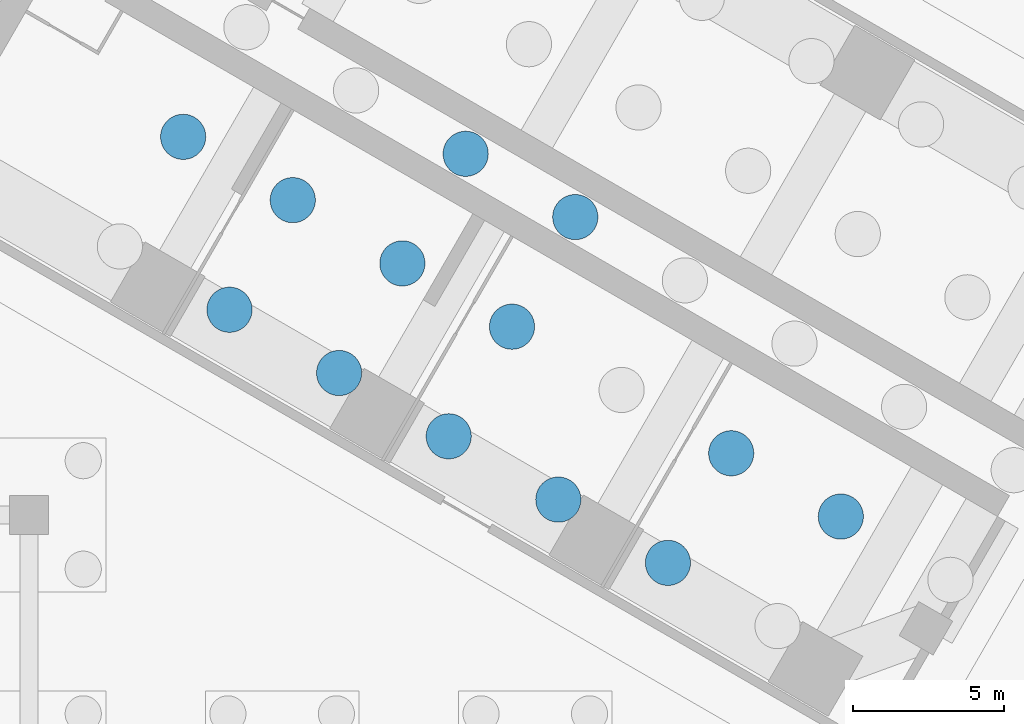
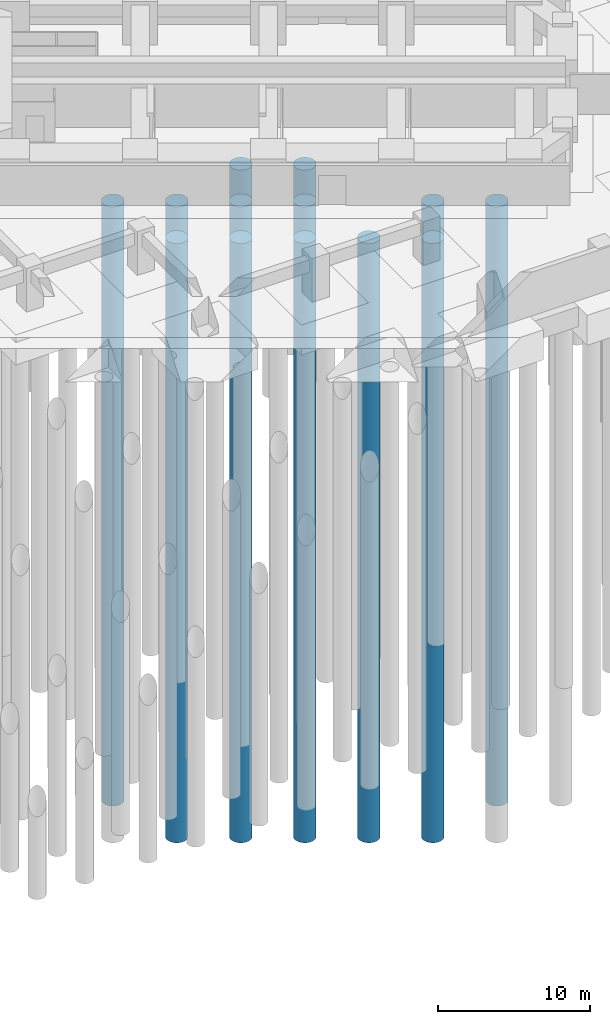
# One storey, part 22 of 73: 13 piles.
"""IFC4 building model written with IfcOpenShell, lengths in metres."""

from ifc_helpers import new_model, si_unit, direction, frame, origin, origin_2d, place, context, subcontext, project, spatial, polyline, circle, outline, extrude, material, material_profile, profile_set, type_object, element, save


model = new_model("IFC4")

# Units and contexts
model_context = context("Model", 3, precision=1e-05, world=origin(), true_north=direction((0.0, 1.0)))
body_context = subcontext(model_context, "Body", "Model", "MODEL_VIEW")
ifc_project = project(units=[si_unit("LENGTHUNIT", "METRE"), si_unit("AREAUNIT", "SQUARE_METRE"), si_unit("VOLUMEUNIT", "CUBIC_METRE"), si_unit("PLANEANGLEUNIT", "RADIAN"), si_unit("MASSUNIT", "GRAM", prefix="KILO")], contexts=[model_context])

# Site, building, storey
site_placement = place(None, origin())
site = spatial("IfcSite", under=ifc_project, at=site_placement, CompositionType="ELEMENT")
building_placement = place(site_placement, origin())
building = spatial("IfcBuilding", under=site, at=building_placement, Name="Impinga Residences", CompositionType="ELEMENT")
storey_placement = place(building_placement, frame((0.0, 0.0, -10.5)))
storey = spatial("IfcBuildingStorey", under=building, at=storey_placement, Name="B3", CompositionType="ELEMENT", Elevation=-10.5)

# Piles
ifc_material = material(Name="Concrete C35/45", Category="concrete")
ifc_material_profile = material_profile(ifc_material, circle(Radius=0.75, at=origin_2d()), Name="D1500")
ifc_profile_set = profile_set([ifc_material_profile], Name="Concrete C35/45")
pile_type = type_object("IfcPileType", Name="BP1 bored pile D1500", PredefinedType="BORED", material=ifc_profile_set)
pile_1_placement = place(storey_placement, frame((29.602294921875, -26.790283203125, -4.0), z_axis=(0.0, 0.0, -1.0), x_axis=(1.0, 0.0, 0.0)))
element("IfcPile", 1, at=pile_1_placement, inside=storey, type_object=pile_type, Name="Raft pile BP1-006", PredefinedType="BORED", context=body_context, shape_type="SweptSolid", body=[
    extrude(outline(polyline([(0.75, 0.0), (0.746337890625, 0.073486328125), (0.735595703125, 0.146240234375), (0.7177734375, 0.2177734375), (0.69287109375, 0.287109375), (0.661376953125, 0.353515625), (0.62353515625, 0.416748046875), (0.579833984375, 0.475830078125), (0.5302734375, 0.5302734375), (0.475830078125, 0.579833984375), (0.416748046875, 0.62353515625), (0.353515625, 0.661376953125), (0.287109375, 0.69287109375), (0.2177734375, 0.7177734375), (0.146240234375, 0.735595703125), (0.073486328125, 0.746337890625), (0.0, 0.75), (-0.073486328125, 0.746337890625), (-0.146240234375, 0.735595703125), (-0.2177734375, 0.7177734375), (-0.287109375, 0.69287109375), (-0.353515625, 0.661376953125), (-0.416748046875, 0.62353515625), (-0.475830078125, 0.579833984375), (-0.5302734375, 0.5302734375), (-0.579833984375, 0.475830078125), (-0.62353515625, 0.416748046875), (-0.661376953125, 0.353515625), (-0.69287109375, 0.287109375), (-0.7177734375, 0.2177734375), (-0.735595703125, 0.146240234375), (-0.746337890625, 0.073486328125), (-0.75, 0.0), (-0.746337890625, -0.073486328125), (-0.735595703125, -0.146240234375), (-0.7177734375, -0.2177734375), (-0.69287109375, -0.287109375), (-0.661376953125, -0.353515625), (-0.62353515625, -0.416748046875), (-0.579833984375, -0.475830078125), (-0.5302734375, -0.5302734375), (-0.475830078125, -0.579833984375), (-0.416748046875, -0.62353515625), (-0.353515625, -0.661376953125), (-0.287109375, -0.69287109375), (-0.2177734375, -0.7177734375), (-0.146240234375, -0.735595703125), (-0.073486328125, -0.746337890625), (0.0, -0.75), (0.073486328125, -0.746337890625), (0.146240234375, -0.735595703125), (0.2177734375, -0.7177734375), (0.287109375, -0.69287109375), (0.353515625, -0.661376953125), (0.416748046875, -0.62353515625), (0.475830078125, -0.579833984375), (0.5302734375, -0.5302734375), (0.579833984375, -0.475830078125), (0.62353515625, -0.416748046875), (0.661376953125, -0.353515625), (0.69287109375, -0.287109375), (0.7177734375, -0.2177734375), (0.735595703125, -0.146240234375), (0.746337890625, -0.073486328125), (0.75, 0.0)])), origin(), (0.0, 0.0, 1.0), 48.0),
])
pile_2_placement = place(storey_placement, frame((35.339599609375, -25.253173828125, -4.0), z_axis=(0.0, 0.0, -1.0), x_axis=(1.0, 0.0, 0.0)))
element("IfcPile", 2, at=pile_2_placement, inside=storey, type_object=pile_type, Name="Raft pile BP1-008", PredefinedType="BORED", context=body_context, shape_type="SweptSolid", body=[
    extrude(outline(polyline([(0.75, 0.0), (0.746337890625, 0.073486328125), (0.735595703125, 0.146240234375), (0.7177734375, 0.2177734375), (0.69287109375, 0.287109375), (0.661376953125, 0.353515625), (0.62353515625, 0.416748046875), (0.579833984375, 0.475830078125), (0.5302734375, 0.5302734375), (0.475830078125, 0.579833984375), (0.416748046875, 0.62353515625), (0.353515625, 0.661376953125), (0.287109375, 0.69287109375), (0.2177734375, 0.7177734375), (0.146240234375, 0.735595703125), (0.073486328125, 0.746337890625), (0.0, 0.75), (-0.073486328125, 0.746337890625), (-0.146240234375, 0.735595703125), (-0.2177734375, 0.7177734375), (-0.287109375, 0.69287109375), (-0.353515625, 0.661376953125), (-0.416748046875, 0.62353515625), (-0.475830078125, 0.579833984375), (-0.5302734375, 0.5302734375), (-0.579833984375, 0.475830078125), (-0.62353515625, 0.416748046875), (-0.661376953125, 0.353515625), (-0.69287109375, 0.287109375), (-0.7177734375, 0.2177734375), (-0.735595703125, 0.146240234375), (-0.746337890625, 0.073486328125), (-0.75, 0.0), (-0.746337890625, -0.073486328125), (-0.735595703125, -0.146240234375), (-0.7177734375, -0.2177734375), (-0.69287109375, -0.287109375), (-0.661376953125, -0.353515625), (-0.62353515625, -0.416748046875), (-0.579833984375, -0.475830078125), (-0.5302734375, -0.5302734375), (-0.475830078125, -0.579833984375), (-0.416748046875, -0.62353515625), (-0.353515625, -0.661376953125), (-0.287109375, -0.69287109375), (-0.2177734375, -0.7177734375), (-0.146240234375, -0.735595703125), (-0.073486328125, -0.746337890625), (0.0, -0.75), (0.073486328125, -0.746337890625), (0.146240234375, -0.735595703125), (0.2177734375, -0.7177734375), (0.287109375, -0.69287109375), (0.353515625, -0.661376953125), (0.416748046875, -0.62353515625), (0.475830078125, -0.579833984375), (0.5302734375, -0.5302734375), (0.579833984375, -0.475830078125), (0.62353515625, -0.416748046875), (0.661376953125, -0.353515625), (0.69287109375, -0.287109375), (0.7177734375, -0.2177734375), (0.735595703125, -0.146240234375), (0.746337890625, -0.073486328125), (0.75, 0.0)])), origin(), (0.0, 0.0, 1.0), 48.0),
])
pile_3_placement = place(storey_placement, frame((25.965087890625, -24.6904296875, -4.0), z_axis=(0.0, 0.0, -1.0), x_axis=(1.0, 0.0, 0.0)))
element("IfcPile", 3, at=pile_3_placement, inside=storey, type_object=pile_type, Name="Raft pile BP1-010", PredefinedType="BORED", context=body_context, shape_type="SweptSolid", body=[
    extrude(outline(polyline([(0.75, 0.0), (0.746337890625, 0.073486328125), (0.735595703125, 0.146240234375), (0.7177734375, 0.2177734375), (0.69287109375, 0.287109375), (0.661376953125, 0.353515625), (0.62353515625, 0.416748046875), (0.579833984375, 0.475830078125), (0.5302734375, 0.5302734375), (0.475830078125, 0.579833984375), (0.416748046875, 0.62353515625), (0.353515625, 0.661376953125), (0.287109375, 0.69287109375), (0.2177734375, 0.7177734375), (0.146240234375, 0.735595703125), (0.073486328125, 0.746337890625), (0.0, 0.75), (-0.073486328125, 0.746337890625), (-0.146240234375, 0.735595703125), (-0.2177734375, 0.7177734375), (-0.287109375, 0.69287109375), (-0.353515625, 0.661376953125), (-0.416748046875, 0.62353515625), (-0.475830078125, 0.579833984375), (-0.5302734375, 0.5302734375), (-0.579833984375, 0.475830078125), (-0.62353515625, 0.416748046875), (-0.661376953125, 0.353515625), (-0.69287109375, 0.287109375), (-0.7177734375, 0.2177734375), (-0.735595703125, 0.146240234375), (-0.746337890625, 0.073486328125), (-0.75, 0.0), (-0.746337890625, -0.073486328125), (-0.735595703125, -0.146240234375), (-0.7177734375, -0.2177734375), (-0.69287109375, -0.287109375), (-0.661376953125, -0.353515625), (-0.62353515625, -0.416748046875), (-0.579833984375, -0.475830078125), (-0.5302734375, -0.5302734375), (-0.475830078125, -0.579833984375), (-0.416748046875, -0.62353515625), (-0.353515625, -0.661376953125), (-0.287109375, -0.69287109375), (-0.2177734375, -0.7177734375), (-0.146240234375, -0.735595703125), (-0.073486328125, -0.746337890625), (0.0, -0.75), (0.073486328125, -0.746337890625), (0.146240234375, -0.735595703125), (0.2177734375, -0.7177734375), (0.287109375, -0.69287109375), (0.353515625, -0.661376953125), (0.416748046875, -0.62353515625), (0.475830078125, -0.579833984375), (0.5302734375, -0.5302734375), (0.579833984375, -0.475830078125), (0.62353515625, -0.416748046875), (0.661376953125, -0.353515625), (0.69287109375, -0.287109375), (0.7177734375, -0.2177734375), (0.735595703125, -0.146240234375), (0.746337890625, -0.073486328125), (0.75, 0.0)])), origin(), (0.0, 0.0, 1.0), 48.0),
])
pile_4_placement = place(storey_placement, frame((31.702392578125, -23.153076171875, -4.0), z_axis=(0.0, 0.0, -1.0), x_axis=(1.0, 0.0, 0.0)))
element("IfcPile", 4, at=pile_4_placement, inside=storey, type_object=pile_type, Name="Raft pile BP1-014", PredefinedType="BORED", context=body_context, shape_type="SweptSolid", body=[
    extrude(outline(polyline([(0.75, 0.0), (0.746337890625, 0.073486328125), (0.735595703125, 0.146240234375), (0.7177734375, 0.2177734375), (0.69287109375, 0.287109375), (0.661376953125, 0.353515625), (0.62353515625, 0.416748046875), (0.579833984375, 0.475830078125), (0.5302734375, 0.5302734375), (0.475830078125, 0.579833984375), (0.416748046875, 0.62353515625), (0.353515625, 0.661376953125), (0.287109375, 0.69287109375), (0.2177734375, 0.7177734375), (0.146240234375, 0.735595703125), (0.073486328125, 0.746337890625), (0.0, 0.75), (-0.073486328125, 0.746337890625), (-0.146240234375, 0.735595703125), (-0.2177734375, 0.7177734375), (-0.287109375, 0.69287109375), (-0.353515625, 0.661376953125), (-0.416748046875, 0.62353515625), (-0.475830078125, 0.579833984375), (-0.5302734375, 0.5302734375), (-0.579833984375, 0.475830078125), (-0.62353515625, 0.416748046875), (-0.661376953125, 0.353515625), (-0.69287109375, 0.287109375), (-0.7177734375, 0.2177734375), (-0.735595703125, 0.146240234375), (-0.746337890625, 0.073486328125), (-0.75, 0.0), (-0.746337890625, -0.073486328125), (-0.735595703125, -0.146240234375), (-0.7177734375, -0.2177734375), (-0.69287109375, -0.287109375), (-0.661376953125, -0.353515625), (-0.62353515625, -0.416748046875), (-0.579833984375, -0.475830078125), (-0.5302734375, -0.5302734375), (-0.475830078125, -0.579833984375), (-0.416748046875, -0.62353515625), (-0.353515625, -0.661376953125), (-0.287109375, -0.69287109375), (-0.2177734375, -0.7177734375), (-0.146240234375, -0.735595703125), (-0.073486328125, -0.746337890625), (0.0, -0.75), (0.073486328125, -0.746337890625), (0.146240234375, -0.735595703125), (0.2177734375, -0.7177734375), (0.287109375, -0.69287109375), (0.353515625, -0.661376953125), (0.416748046875, -0.62353515625), (0.475830078125, -0.579833984375), (0.5302734375, -0.5302734375), (0.579833984375, -0.475830078125), (0.62353515625, -0.416748046875), (0.661376953125, -0.353515625), (0.69287109375, -0.287109375), (0.7177734375, -0.2177734375), (0.735595703125, -0.146240234375), (0.746337890625, -0.073486328125), (0.75, 0.0)])), origin(), (0.0, 0.0, 1.0), 48.0),
])
pile_5_placement = place(storey_placement, frame((22.32763671875, -22.59033203125, -4.0), z_axis=(0.0, 0.0, -1.0), x_axis=(1.0, 0.0, 0.0)))
element("IfcPile", 5, at=pile_5_placement, inside=storey, type_object=pile_type, Name="Raft pile BP1-016", PredefinedType="BORED", context=body_context, shape_type="SweptSolid", body=[
    extrude(outline(polyline([(0.75, 0.0), (0.746337890625, 0.073486328125), (0.735595703125, 0.146240234375), (0.7177734375, 0.2177734375), (0.69287109375, 0.287109375), (0.661376953125, 0.353515625), (0.62353515625, 0.416748046875), (0.579833984375, 0.475830078125), (0.5302734375, 0.5302734375), (0.475830078125, 0.579833984375), (0.416748046875, 0.62353515625), (0.353515625, 0.661376953125), (0.287109375, 0.69287109375), (0.2177734375, 0.7177734375), (0.146240234375, 0.735595703125), (0.073486328125, 0.746337890625), (0.0, 0.75), (-0.073486328125, 0.746337890625), (-0.146240234375, 0.735595703125), (-0.2177734375, 0.7177734375), (-0.287109375, 0.69287109375), (-0.353515625, 0.661376953125), (-0.416748046875, 0.62353515625), (-0.475830078125, 0.579833984375), (-0.5302734375, 0.5302734375), (-0.579833984375, 0.475830078125), (-0.62353515625, 0.416748046875), (-0.661376953125, 0.353515625), (-0.69287109375, 0.287109375), (-0.7177734375, 0.2177734375), (-0.735595703125, 0.146240234375), (-0.746337890625, 0.073486328125), (-0.75, 0.0), (-0.746337890625, -0.073486328125), (-0.735595703125, -0.146240234375), (-0.7177734375, -0.2177734375), (-0.69287109375, -0.287109375), (-0.661376953125, -0.353515625), (-0.62353515625, -0.416748046875), (-0.579833984375, -0.475830078125), (-0.5302734375, -0.5302734375), (-0.475830078125, -0.579833984375), (-0.416748046875, -0.62353515625), (-0.353515625, -0.661376953125), (-0.287109375, -0.69287109375), (-0.2177734375, -0.7177734375), (-0.146240234375, -0.735595703125), (-0.073486328125, -0.746337890625), (0.0, -0.75), (0.073486328125, -0.746337890625), (0.146240234375, -0.735595703125), (0.2177734375, -0.7177734375), (0.287109375, -0.69287109375), (0.353515625, -0.661376953125), (0.416748046875, -0.62353515625), (0.475830078125, -0.579833984375), (0.5302734375, -0.5302734375), (0.579833984375, -0.475830078125), (0.62353515625, -0.416748046875), (0.661376953125, -0.353515625), (0.69287109375, -0.287109375), (0.7177734375, -0.2177734375), (0.735595703125, -0.146240234375), (0.746337890625, -0.073486328125), (0.75, 0.0)])), origin(), (0.0, 0.0, 1.0), 48.0),
])
pile_6_placement = place(storey_placement, frame((18.6904296875, -20.490478515625, -4.0), z_axis=(0.0, 0.0, -1.0), x_axis=(1.0, 0.0, 0.0)))
element("IfcPile", 6, at=pile_6_placement, inside=storey, type_object=pile_type, Name="Raft pile BP1-022", PredefinedType="BORED", context=body_context, shape_type="SweptSolid", body=[
    extrude(outline(polyline([(0.75, 0.0), (0.746337890625, 0.073486328125), (0.735595703125, 0.146240234375), (0.7177734375, 0.2177734375), (0.69287109375, 0.287109375), (0.661376953125, 0.353515625), (0.62353515625, 0.416748046875), (0.579833984375, 0.475830078125), (0.5302734375, 0.5302734375), (0.475830078125, 0.579833984375), (0.416748046875, 0.62353515625), (0.353515625, 0.661376953125), (0.287109375, 0.69287109375), (0.2177734375, 0.7177734375), (0.146240234375, 0.735595703125), (0.073486328125, 0.746337890625), (0.0, 0.75), (-0.073486328125, 0.746337890625), (-0.146240234375, 0.735595703125), (-0.2177734375, 0.7177734375), (-0.287109375, 0.69287109375), (-0.353515625, 0.661376953125), (-0.416748046875, 0.62353515625), (-0.475830078125, 0.579833984375), (-0.5302734375, 0.5302734375), (-0.579833984375, 0.475830078125), (-0.62353515625, 0.416748046875), (-0.661376953125, 0.353515625), (-0.69287109375, 0.287109375), (-0.7177734375, 0.2177734375), (-0.735595703125, 0.146240234375), (-0.746337890625, 0.073486328125), (-0.75, 0.0), (-0.746337890625, -0.073486328125), (-0.735595703125, -0.146240234375), (-0.7177734375, -0.2177734375), (-0.69287109375, -0.287109375), (-0.661376953125, -0.353515625), (-0.62353515625, -0.416748046875), (-0.579833984375, -0.475830078125), (-0.5302734375, -0.5302734375), (-0.475830078125, -0.579833984375), (-0.416748046875, -0.62353515625), (-0.353515625, -0.661376953125), (-0.287109375, -0.69287109375), (-0.2177734375, -0.7177734375), (-0.146240234375, -0.735595703125), (-0.073486328125, -0.746337890625), (0.0, -0.75), (0.073486328125, -0.746337890625), (0.146240234375, -0.735595703125), (0.2177734375, -0.7177734375), (0.287109375, -0.69287109375), (0.353515625, -0.661376953125), (0.416748046875, -0.62353515625), (0.475830078125, -0.579833984375), (0.5302734375, -0.5302734375), (0.579833984375, -0.475830078125), (0.62353515625, -0.416748046875), (0.661376953125, -0.353515625), (0.69287109375, -0.287109375), (0.7177734375, -0.2177734375), (0.735595703125, -0.146240234375), (0.746337890625, -0.073486328125), (0.75, 0.0)])), origin(), (0.0, 0.0, 1.0), 48.0),
])
pile_7_placement = place(storey_placement, frame((24.427734375, -18.953125, -4.0), z_axis=(0.0, 0.0, -1.0), x_axis=(1.0, 0.0, 0.0)))
element("IfcPile", 7, at=pile_7_placement, inside=storey, type_object=pile_type, Name="Raft pile BP1-028", PredefinedType="BORED", context=body_context, shape_type="SweptSolid", body=[
    extrude(outline(polyline([(0.75, 0.0), (0.746337890625, 0.073486328125), (0.735595703125, 0.146240234375), (0.7177734375, 0.2177734375), (0.69287109375, 0.287109375), (0.661376953125, 0.353515625), (0.62353515625, 0.416748046875), (0.579833984375, 0.475830078125), (0.5302734375, 0.5302734375), (0.475830078125, 0.579833984375), (0.416748046875, 0.62353515625), (0.353515625, 0.661376953125), (0.287109375, 0.69287109375), (0.2177734375, 0.7177734375), (0.146240234375, 0.735595703125), (0.073486328125, 0.746337890625), (0.0, 0.75), (-0.073486328125, 0.746337890625), (-0.146240234375, 0.735595703125), (-0.2177734375, 0.7177734375), (-0.287109375, 0.69287109375), (-0.353515625, 0.661376953125), (-0.416748046875, 0.62353515625), (-0.475830078125, 0.579833984375), (-0.5302734375, 0.5302734375), (-0.579833984375, 0.475830078125), (-0.62353515625, 0.416748046875), (-0.661376953125, 0.353515625), (-0.69287109375, 0.287109375), (-0.7177734375, 0.2177734375), (-0.735595703125, 0.146240234375), (-0.746337890625, 0.073486328125), (-0.75, 0.0), (-0.746337890625, -0.073486328125), (-0.735595703125, -0.146240234375), (-0.7177734375, -0.2177734375), (-0.69287109375, -0.287109375), (-0.661376953125, -0.353515625), (-0.62353515625, -0.416748046875), (-0.579833984375, -0.475830078125), (-0.5302734375, -0.5302734375), (-0.475830078125, -0.579833984375), (-0.416748046875, -0.62353515625), (-0.353515625, -0.661376953125), (-0.287109375, -0.69287109375), (-0.2177734375, -0.7177734375), (-0.146240234375, -0.735595703125), (-0.073486328125, -0.746337890625), (0.0, -0.75), (0.073486328125, -0.746337890625), (0.146240234375, -0.735595703125), (0.2177734375, -0.7177734375), (0.287109375, -0.69287109375), (0.353515625, -0.661376953125), (0.416748046875, -0.62353515625), (0.475830078125, -0.579833984375), (0.5302734375, -0.5302734375), (0.579833984375, -0.475830078125), (0.62353515625, -0.416748046875), (0.661376953125, -0.353515625), (0.69287109375, -0.287109375), (0.7177734375, -0.2177734375), (0.735595703125, -0.146240234375), (0.746337890625, -0.073486328125), (0.75, 0.0)])), origin(), (0.0, 0.0, 1.0), 48.0),
])
pile_8_placement = place(storey_placement, frame((15.052978515625, -18.390380859375, -4.0), z_axis=(0.0, 0.0, -1.0), x_axis=(1.0, 0.0, 0.0)))
element("IfcPile", 8, at=pile_8_placement, inside=storey, type_object=pile_type, Name="Raft pile BP1-030", PredefinedType="BORED", context=body_context, shape_type="SweptSolid", body=[
    extrude(outline(polyline([(0.75, 0.0), (0.746337890625, 0.073486328125), (0.735595703125, 0.146240234375), (0.7177734375, 0.2177734375), (0.69287109375, 0.287109375), (0.661376953125, 0.353515625), (0.62353515625, 0.416748046875), (0.579833984375, 0.475830078125), (0.5302734375, 0.5302734375), (0.475830078125, 0.579833984375), (0.416748046875, 0.62353515625), (0.353515625, 0.661376953125), (0.287109375, 0.69287109375), (0.2177734375, 0.7177734375), (0.146240234375, 0.735595703125), (0.073486328125, 0.746337890625), (0.0, 0.75), (-0.073486328125, 0.746337890625), (-0.146240234375, 0.735595703125), (-0.2177734375, 0.7177734375), (-0.287109375, 0.69287109375), (-0.353515625, 0.661376953125), (-0.416748046875, 0.62353515625), (-0.475830078125, 0.579833984375), (-0.5302734375, 0.5302734375), (-0.579833984375, 0.475830078125), (-0.62353515625, 0.416748046875), (-0.661376953125, 0.353515625), (-0.69287109375, 0.287109375), (-0.7177734375, 0.2177734375), (-0.735595703125, 0.146240234375), (-0.746337890625, 0.073486328125), (-0.75, 0.0), (-0.746337890625, -0.073486328125), (-0.735595703125, -0.146240234375), (-0.7177734375, -0.2177734375), (-0.69287109375, -0.287109375), (-0.661376953125, -0.353515625), (-0.62353515625, -0.416748046875), (-0.579833984375, -0.475830078125), (-0.5302734375, -0.5302734375), (-0.475830078125, -0.579833984375), (-0.416748046875, -0.62353515625), (-0.353515625, -0.661376953125), (-0.287109375, -0.69287109375), (-0.2177734375, -0.7177734375), (-0.146240234375, -0.735595703125), (-0.073486328125, -0.746337890625), (0.0, -0.75), (0.073486328125, -0.746337890625), (0.146240234375, -0.735595703125), (0.2177734375, -0.7177734375), (0.287109375, -0.69287109375), (0.353515625, -0.661376953125), (0.416748046875, -0.62353515625), (0.475830078125, -0.579833984375), (0.5302734375, -0.5302734375), (0.579833984375, -0.475830078125), (0.62353515625, -0.416748046875), (0.661376953125, -0.353515625), (0.69287109375, -0.287109375), (0.7177734375, -0.2177734375), (0.735595703125, -0.146240234375), (0.746337890625, -0.073486328125), (0.75, 0.0)])), origin(), (0.0, 0.0, 1.0), 48.0),
])
pile_9_placement = place(storey_placement, frame((20.790283203125, -16.85302734375, -4.0), z_axis=(0.0, 0.0, -1.0), x_axis=(1.0, 0.0, 0.0)))
element("IfcPile", 9, at=pile_9_placement, inside=storey, type_object=pile_type, Name="Raft pile BP1-036", PredefinedType="BORED", context=body_context, shape_type="SweptSolid", body=[
    extrude(outline(polyline([(0.75, 0.0), (0.746337890625, 0.073486328125), (0.735595703125, 0.146240234375), (0.7177734375, 0.2177734375), (0.69287109375, 0.287109375), (0.661376953125, 0.353515625), (0.62353515625, 0.416748046875), (0.579833984375, 0.475830078125), (0.5302734375, 0.5302734375), (0.475830078125, 0.579833984375), (0.416748046875, 0.62353515625), (0.353515625, 0.661376953125), (0.287109375, 0.69287109375), (0.2177734375, 0.7177734375), (0.146240234375, 0.735595703125), (0.073486328125, 0.746337890625), (0.0, 0.75), (-0.073486328125, 0.746337890625), (-0.146240234375, 0.735595703125), (-0.2177734375, 0.7177734375), (-0.287109375, 0.69287109375), (-0.353515625, 0.661376953125), (-0.416748046875, 0.62353515625), (-0.475830078125, 0.579833984375), (-0.5302734375, 0.5302734375), (-0.579833984375, 0.475830078125), (-0.62353515625, 0.416748046875), (-0.661376953125, 0.353515625), (-0.69287109375, 0.287109375), (-0.7177734375, 0.2177734375), (-0.735595703125, 0.146240234375), (-0.746337890625, 0.073486328125), (-0.75, 0.0), (-0.746337890625, -0.073486328125), (-0.735595703125, -0.146240234375), (-0.7177734375, -0.2177734375), (-0.69287109375, -0.287109375), (-0.661376953125, -0.353515625), (-0.62353515625, -0.416748046875), (-0.579833984375, -0.475830078125), (-0.5302734375, -0.5302734375), (-0.475830078125, -0.579833984375), (-0.416748046875, -0.62353515625), (-0.353515625, -0.661376953125), (-0.287109375, -0.69287109375), (-0.2177734375, -0.7177734375), (-0.146240234375, -0.735595703125), (-0.073486328125, -0.746337890625), (0.0, -0.75), (0.073486328125, -0.746337890625), (0.146240234375, -0.735595703125), (0.2177734375, -0.7177734375), (0.287109375, -0.69287109375), (0.353515625, -0.661376953125), (0.416748046875, -0.62353515625), (0.475830078125, -0.579833984375), (0.5302734375, -0.5302734375), (0.579833984375, -0.475830078125), (0.62353515625, -0.416748046875), (0.661376953125, -0.353515625), (0.69287109375, -0.287109375), (0.7177734375, -0.2177734375), (0.735595703125, -0.146240234375), (0.746337890625, -0.073486328125), (0.75, 0.0)])), origin(), (0.0, 0.0, 1.0), 48.0),
])
pile_10_placement = place(storey_placement, frame((26.527587890625, -15.315673828125, -4.0), z_axis=(0.0, 0.0, -1.0), x_axis=(1.0, 0.0, 0.0)))
element("IfcPile", 10, at=pile_10_placement, inside=storey, type_object=pile_type, Name="Raft pile BP1-042", PredefinedType="BORED", context=body_context, shape_type="SweptSolid", body=[
    extrude(outline(polyline([(0.75, 0.0), (0.746337890625, 0.073486328125), (0.735595703125, 0.146240234375), (0.7177734375, 0.2177734375), (0.69287109375, 0.287109375), (0.661376953125, 0.353515625), (0.62353515625, 0.416748046875), (0.579833984375, 0.475830078125), (0.5302734375, 0.5302734375), (0.475830078125, 0.579833984375), (0.416748046875, 0.62353515625), (0.353515625, 0.661376953125), (0.287109375, 0.69287109375), (0.2177734375, 0.7177734375), (0.146240234375, 0.735595703125), (0.073486328125, 0.746337890625), (0.0, 0.75), (-0.073486328125, 0.746337890625), (-0.146240234375, 0.735595703125), (-0.2177734375, 0.7177734375), (-0.287109375, 0.69287109375), (-0.353515625, 0.661376953125), (-0.416748046875, 0.62353515625), (-0.475830078125, 0.579833984375), (-0.5302734375, 0.5302734375), (-0.579833984375, 0.475830078125), (-0.62353515625, 0.416748046875), (-0.661376953125, 0.353515625), (-0.69287109375, 0.287109375), (-0.7177734375, 0.2177734375), (-0.735595703125, 0.146240234375), (-0.746337890625, 0.073486328125), (-0.75, 0.0), (-0.746337890625, -0.073486328125), (-0.735595703125, -0.146240234375), (-0.7177734375, -0.2177734375), (-0.69287109375, -0.287109375), (-0.661376953125, -0.353515625), (-0.62353515625, -0.416748046875), (-0.579833984375, -0.475830078125), (-0.5302734375, -0.5302734375), (-0.475830078125, -0.579833984375), (-0.416748046875, -0.62353515625), (-0.353515625, -0.661376953125), (-0.287109375, -0.69287109375), (-0.2177734375, -0.7177734375), (-0.146240234375, -0.735595703125), (-0.073486328125, -0.746337890625), (0.0, -0.75), (0.073486328125, -0.746337890625), (0.146240234375, -0.735595703125), (0.2177734375, -0.7177734375), (0.287109375, -0.69287109375), (0.353515625, -0.661376953125), (0.416748046875, -0.62353515625), (0.475830078125, -0.579833984375), (0.5302734375, -0.5302734375), (0.579833984375, -0.475830078125), (0.62353515625, -0.416748046875), (0.661376953125, -0.353515625), (0.69287109375, -0.287109375), (0.7177734375, -0.2177734375), (0.735595703125, -0.146240234375), (0.746337890625, -0.073486328125), (0.75, 0.0)])), origin(), (0.0, 0.0, 1.0), 48.0),
])
pile_11_placement = place(storey_placement, frame((17.153076171875, -14.753173828125, -4.0), z_axis=(0.0, 0.0, -1.0), x_axis=(1.0, 0.0, 0.0)))
element("IfcPile", 11, at=pile_11_placement, inside=storey, type_object=pile_type, Name="Raft pile BP1-044", PredefinedType="BORED", context=body_context, shape_type="SweptSolid", body=[
    extrude(outline(polyline([(0.75, 0.0), (0.746337890625, 0.073486328125), (0.735595703125, 0.146240234375), (0.7177734375, 0.2177734375), (0.69287109375, 0.287109375), (0.661376953125, 0.353515625), (0.62353515625, 0.416748046875), (0.579833984375, 0.475830078125), (0.5302734375, 0.5302734375), (0.475830078125, 0.579833984375), (0.416748046875, 0.62353515625), (0.353515625, 0.661376953125), (0.287109375, 0.69287109375), (0.2177734375, 0.7177734375), (0.146240234375, 0.735595703125), (0.073486328125, 0.746337890625), (0.0, 0.75), (-0.073486328125, 0.746337890625), (-0.146240234375, 0.735595703125), (-0.2177734375, 0.7177734375), (-0.287109375, 0.69287109375), (-0.353515625, 0.661376953125), (-0.416748046875, 0.62353515625), (-0.475830078125, 0.579833984375), (-0.5302734375, 0.5302734375), (-0.579833984375, 0.475830078125), (-0.62353515625, 0.416748046875), (-0.661376953125, 0.353515625), (-0.69287109375, 0.287109375), (-0.7177734375, 0.2177734375), (-0.735595703125, 0.146240234375), (-0.746337890625, 0.073486328125), (-0.75, 0.0), (-0.746337890625, -0.073486328125), (-0.735595703125, -0.146240234375), (-0.7177734375, -0.2177734375), (-0.69287109375, -0.287109375), (-0.661376953125, -0.353515625), (-0.62353515625, -0.416748046875), (-0.579833984375, -0.475830078125), (-0.5302734375, -0.5302734375), (-0.475830078125, -0.579833984375), (-0.416748046875, -0.62353515625), (-0.353515625, -0.661376953125), (-0.287109375, -0.69287109375), (-0.2177734375, -0.7177734375), (-0.146240234375, -0.735595703125), (-0.073486328125, -0.746337890625), (0.0, -0.75), (0.073486328125, -0.746337890625), (0.146240234375, -0.735595703125), (0.2177734375, -0.7177734375), (0.287109375, -0.69287109375), (0.353515625, -0.661376953125), (0.416748046875, -0.62353515625), (0.475830078125, -0.579833984375), (0.5302734375, -0.5302734375), (0.579833984375, -0.475830078125), (0.62353515625, -0.416748046875), (0.661376953125, -0.353515625), (0.69287109375, -0.287109375), (0.7177734375, -0.2177734375), (0.735595703125, -0.146240234375), (0.746337890625, -0.073486328125), (0.75, 0.0)])), origin(), (0.0, 0.0, 1.0), 48.0),
])
pile_12_placement = place(storey_placement, frame((22.890380859375, -13.2158203125, -4.0), z_axis=(0.0, 0.0, -1.0), x_axis=(1.0, 0.0, 0.0)))
element("IfcPile", 12, at=pile_12_placement, inside=storey, type_object=pile_type, Name="Raft pile BP1-050", PredefinedType="BORED", context=body_context, shape_type="SweptSolid", body=[
    extrude(outline(polyline([(0.75, 0.0), (0.746337890625, 0.073486328125), (0.735595703125, 0.146240234375), (0.7177734375, 0.2177734375), (0.69287109375, 0.287109375), (0.661376953125, 0.353515625), (0.62353515625, 0.416748046875), (0.579833984375, 0.475830078125), (0.5302734375, 0.5302734375), (0.475830078125, 0.579833984375), (0.416748046875, 0.62353515625), (0.353515625, 0.661376953125), (0.287109375, 0.69287109375), (0.2177734375, 0.7177734375), (0.146240234375, 0.735595703125), (0.073486328125, 0.746337890625), (0.0, 0.75), (-0.073486328125, 0.746337890625), (-0.146240234375, 0.735595703125), (-0.2177734375, 0.7177734375), (-0.287109375, 0.69287109375), (-0.353515625, 0.661376953125), (-0.416748046875, 0.62353515625), (-0.475830078125, 0.579833984375), (-0.5302734375, 0.5302734375), (-0.579833984375, 0.475830078125), (-0.62353515625, 0.416748046875), (-0.661376953125, 0.353515625), (-0.69287109375, 0.287109375), (-0.7177734375, 0.2177734375), (-0.735595703125, 0.146240234375), (-0.746337890625, 0.073486328125), (-0.75, 0.0), (-0.746337890625, -0.073486328125), (-0.735595703125, -0.146240234375), (-0.7177734375, -0.2177734375), (-0.69287109375, -0.287109375), (-0.661376953125, -0.353515625), (-0.62353515625, -0.416748046875), (-0.579833984375, -0.475830078125), (-0.5302734375, -0.5302734375), (-0.475830078125, -0.579833984375), (-0.416748046875, -0.62353515625), (-0.353515625, -0.661376953125), (-0.287109375, -0.69287109375), (-0.2177734375, -0.7177734375), (-0.146240234375, -0.735595703125), (-0.073486328125, -0.746337890625), (0.0, -0.75), (0.073486328125, -0.746337890625), (0.146240234375, -0.735595703125), (0.2177734375, -0.7177734375), (0.287109375, -0.69287109375), (0.353515625, -0.661376953125), (0.416748046875, -0.62353515625), (0.475830078125, -0.579833984375), (0.5302734375, -0.5302734375), (0.579833984375, -0.475830078125), (0.62353515625, -0.416748046875), (0.661376953125, -0.353515625), (0.69287109375, -0.287109375), (0.7177734375, -0.2177734375), (0.735595703125, -0.146240234375), (0.746337890625, -0.073486328125), (0.75, 0.0)])), origin(), (0.0, 0.0, 1.0), 48.0),
])
pile_13_placement = place(storey_placement, frame((13.515869140625, -12.653076171875, -4.0), z_axis=(0.0, 0.0, -1.0), x_axis=(1.0, 0.0, 0.0)))
element("IfcPile", 13, at=pile_13_placement, inside=storey, type_object=pile_type, Name="Raft pile BP1-052", PredefinedType="BORED", context=body_context, shape_type="SweptSolid", body=[
    extrude(outline(polyline([(0.75, 0.0), (0.746337890625, 0.073486328125), (0.735595703125, 0.146240234375), (0.7177734375, 0.2177734375), (0.69287109375, 0.287109375), (0.661376953125, 0.353515625), (0.62353515625, 0.416748046875), (0.579833984375, 0.475830078125), (0.5302734375, 0.5302734375), (0.475830078125, 0.579833984375), (0.416748046875, 0.62353515625), (0.353515625, 0.661376953125), (0.287109375, 0.69287109375), (0.2177734375, 0.7177734375), (0.146240234375, 0.735595703125), (0.073486328125, 0.746337890625), (0.0, 0.75), (-0.073486328125, 0.746337890625), (-0.146240234375, 0.735595703125), (-0.2177734375, 0.7177734375), (-0.287109375, 0.69287109375), (-0.353515625, 0.661376953125), (-0.416748046875, 0.62353515625), (-0.475830078125, 0.579833984375), (-0.5302734375, 0.5302734375), (-0.579833984375, 0.475830078125), (-0.62353515625, 0.416748046875), (-0.661376953125, 0.353515625), (-0.69287109375, 0.287109375), (-0.7177734375, 0.2177734375), (-0.735595703125, 0.146240234375), (-0.746337890625, 0.073486328125), (-0.75, 0.0), (-0.746337890625, -0.073486328125), (-0.735595703125, -0.146240234375), (-0.7177734375, -0.2177734375), (-0.69287109375, -0.287109375), (-0.661376953125, -0.353515625), (-0.62353515625, -0.416748046875), (-0.579833984375, -0.475830078125), (-0.5302734375, -0.5302734375), (-0.475830078125, -0.579833984375), (-0.416748046875, -0.62353515625), (-0.353515625, -0.661376953125), (-0.287109375, -0.69287109375), (-0.2177734375, -0.7177734375), (-0.146240234375, -0.735595703125), (-0.073486328125, -0.746337890625), (0.0, -0.75), (0.073486328125, -0.746337890625), (0.146240234375, -0.735595703125), (0.2177734375, -0.7177734375), (0.287109375, -0.69287109375), (0.353515625, -0.661376953125), (0.416748046875, -0.62353515625), (0.475830078125, -0.579833984375), (0.5302734375, -0.5302734375), (0.579833984375, -0.475830078125), (0.62353515625, -0.416748046875), (0.661376953125, -0.353515625), (0.69287109375, -0.287109375), (0.7177734375, -0.2177734375), (0.735595703125, -0.146240234375), (0.746337890625, -0.073486328125), (0.75, 0.0)])), origin(), (0.0, 0.0, 1.0), 48.0),
])

save(model, "model.ifc")
